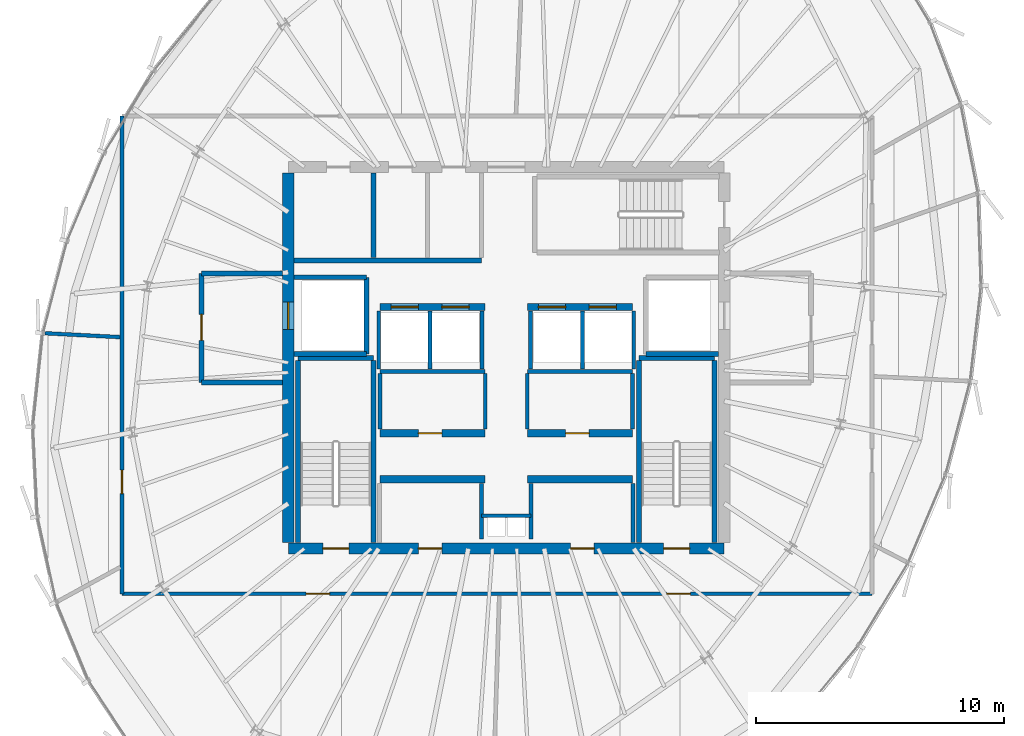
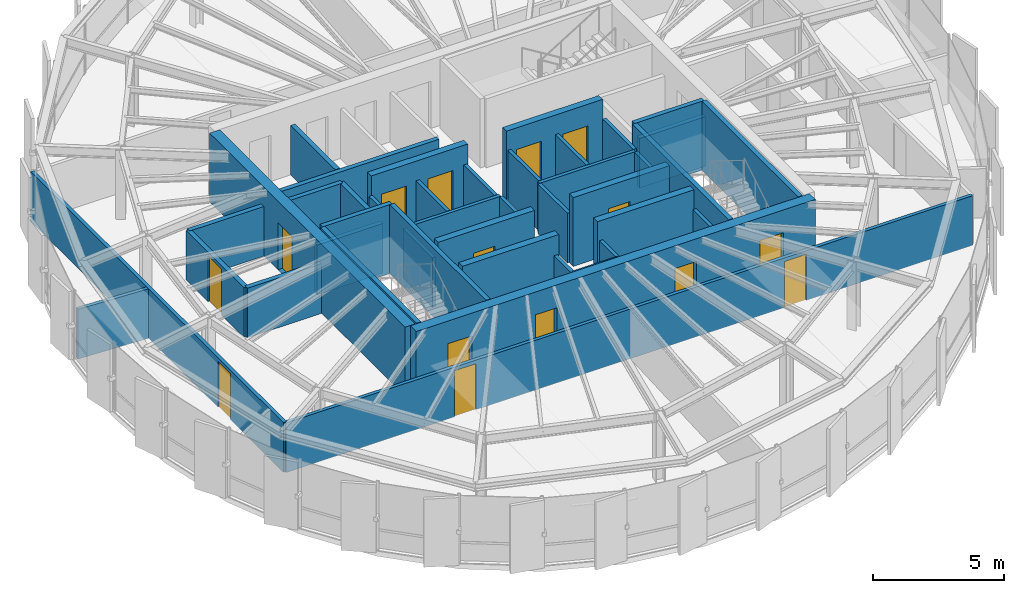
# One storey, part 25 of 31: 42 walls, 15 doors, 15 openings.
"""IFC4 building model written with IfcOpenShell, lengths in metres."""

from ifc_helpers import new_model, si_unit, direction, frame, frame_2d, origin, place, context, subcontext, project, spatial, rectangle, extrude, source, transform, mapped, material, layer, layer_set, type_object, element, fill, save


model = new_model("IFC4")

# Units and contexts
model_context = context("Model", 3, precision=1e-05, world=origin(), true_north=direction((0.0, 1.0)))
body_context = subcontext(model_context, "Body", "Model", "MODEL_VIEW")
ifc_project = project(units=[si_unit("LENGTHUNIT", "METRE"), si_unit("AREAUNIT", "SQUARE_METRE"), si_unit("VOLUMEUNIT", "CUBIC_METRE"), si_unit("PLANEANGLEUNIT", "RADIAN"), si_unit("MASSUNIT", "GRAM", prefix="KILO"), si_unit("THERMODYNAMICTEMPERATUREUNIT", "KELVIN")], contexts=[model_context])

# Site, building, storey
site_placement = place(None, origin())
site = spatial("IfcSite", under=ifc_project, at=site_placement, CompositionType="ELEMENT")
building_placement = place(site_placement, origin())
building = spatial("IfcBuilding", under=site, at=building_placement, Name="Kethvar Cultural Tower", CompositionType="ELEMENT")
storey_placement = place(building_placement, frame((0.0, 0.0, 287.050048828125)))
storey = spatial("IfcBuildingStorey", under=building, at=storey_placement, Name="L76", CompositionType="ELEMENT", Elevation=287.050048828125)

# Wall, openings, doors
ifc_material_1 = material(Name="Concrete C50/60", Category="concrete")
ifc_layer_1 = layer(ifc_material_1, 0.449951171875, Name="Concrete C50/60", Category="concrete")
ifc_layer_set_1 = layer_set([ifc_layer_1], Name="Concrete C50/60 (450 mm)")
wall_type_1 = type_object("IfcWallType", Name="WL-CORE-450", PredefinedType="SHEAR", material=ifc_layer_set_1)
wall_1_placement = place(storey_placement, frame((38.0, 20.10009765625, 0.0), z_axis=(0.0, 0.0, 1.0), x_axis=(1.0, 0.0, 0.0)))
wall_1 = element("IfcWall", 1, at=wall_1_placement, inside=storey, type_object=wall_type_1, Name="L76 Core Shear Wall S", PredefinedType="SHEAR", context=body_context, shape_type="SweptSolid", body=[
    extrude(rectangle(XDim=17.60009765625, YDim=0.449951171875, at=frame_2d((8.800048828125, 0.0))), origin(), (0.0, 0.0, 1.0), 3.2099609375),
])
opening_1_placement = place(wall_1_placement, frame((1.39990234375, 0.0, 0.0)))
opening_1 = element("IfcOpeningElement", 2, at=opening_1_placement, cuts=wall_1, Name="Opening D-L76-S1", PredefinedType="OPENING", context=body_context, shape_type="SweptSolid", body=[
    extrude(rectangle(XDim=1.050048828125, YDim=2.14990234375, at=frame_2d((0.52490234375, 1.074951171875))), frame((0.0, 0.23486328125, 0.0), z_axis=(0.0, -1.0, 0.0), x_axis=(1.0, 0.0, 0.0)), (0.0, 0.0, 1.0), 0.469970703125),
])
opening_2_placement = place(wall_1_placement, frame((15.14990234375, 0.0, 0.0)))
opening_2 = element("IfcOpeningElement", 3, at=opening_2_placement, cuts=wall_1, Name="Opening D-L76-ST2", PredefinedType="OPENING", context=body_context, shape_type="SweptSolid", body=[
    extrude(rectangle(XDim=1.050048828125, YDim=2.14990234375, at=frame_2d((0.52490234375, 1.074951171875))), frame((0.0, 0.23486328125, 0.0), z_axis=(0.0, -1.0, 0.0), x_axis=(1.0, 0.0, 0.0)), (0.0, 0.0, 1.0), 0.469970703125),
])
opening_3_placement = place(wall_1_placement, frame((5.25, 0.0, 0.0)))
opening_3 = element("IfcOpeningElement", 4, at=opening_3_placement, cuts=wall_1, Name="Opening D-L76-V1", PredefinedType="OPENING", context=body_context, shape_type="SweptSolid", body=[
    extrude(rectangle(XDim=0.949951171875, YDim=2.14990234375, at=frame_2d((0.47509765625, 1.074951171875))), frame((0.0, 0.23486328125, 0.0), z_axis=(0.0, -1.0, 0.0), x_axis=(1.0, 0.0, 0.0)), (0.0, 0.0, 1.0), 0.469970703125),
])
opening_4_placement = place(wall_1_placement, frame((11.39990234375, 0.0, 0.0)))
opening_4 = element("IfcOpeningElement", 5, at=opening_4_placement, cuts=wall_1, Name="Opening D-L76-V2", PredefinedType="OPENING", context=body_context, shape_type="SweptSolid", body=[
    extrude(rectangle(XDim=0.949951171875, YDim=2.14990234375, at=frame_2d((0.47509765625, 1.074951171875))), frame((0.0, 0.23486328125, 0.0), z_axis=(0.0, -1.0, 0.0), x_axis=(1.0, 0.0, 0.0)), (0.0, 0.0, 1.0), 0.469970703125),
])
ifc_material_2 = material(Name="Steel S355J2", Category="steel")
door_type_1 = type_object("IfcDoorType", Name="DR-FD60-1050", OperationType="NOTDEFINED", PredefinedType="DOOR", material=ifc_material_2)
shared_shape_1 = source(origin(), body_context, "Body", "SweptSolid", [
    extrude(rectangle(XDim=1.050048828125, YDim=2.14990234375, at=frame_2d((0.52490234375, 1.074951171875))), frame((0.0, 0.02490234375, 0.0), z_axis=(0.0, -1.0, 0.0), x_axis=(1.0, 0.0, 0.0)), (0.0, 0.0, 1.0), 0.050048828125),
])
door_1_placement = place(opening_1_placement, origin())
door_1 = element("IfcDoor", 6, at=door_1_placement, inside=storey, type_object=door_type_1, Name="L76 Exit Stair 1 Door", OperationType="SINGLE_SWING_LEFT", OverallHeight=2.14990234375, OverallWidth=1.050048828125, PredefinedType="DOOR", context=body_context, shape_type="MappedRepresentation", body=[
    mapped(shared_shape_1, transform((0.0, 0.0, 0.0), scale=1.0)),
])
fill(opening_1, door_1)
door_2_placement = place(opening_2_placement, origin())
door_2 = element("IfcDoor", 7, at=door_2_placement, inside=storey, type_object=door_type_1, Name="L76 Exit Stair 2 Door", OperationType="SINGLE_SWING_RIGHT", OverallHeight=2.14990234375, OverallWidth=1.050048828125, PredefinedType="DOOR", context=body_context, shape_type="MappedRepresentation", body=[
    mapped(shared_shape_1, transform((0.0, 0.0, 0.0), scale=1.0)),
])
fill(opening_2, door_2)
ifc_material_3 = material(Name="Architectural Oak Timber", Category="wood")
door_type_2 = type_object("IfcDoorType", Name="DR-FD30-950", OperationType="NOTDEFINED", PredefinedType="DOOR", material=ifc_material_3)
shared_shape_2 = source(origin(), body_context, "Body", "SweptSolid", [
    extrude(rectangle(XDim=0.949951171875, YDim=2.14990234375, at=frame_2d((0.47509765625, 1.074951171875))), frame((0.0, 0.02490234375, 0.0), z_axis=(0.0, -1.0, 0.0), x_axis=(1.0, 0.0, 0.0)), (0.0, 0.0, 1.0), 0.050048828125),
])
door_3_placement = place(opening_3_placement, origin())
door_3 = element("IfcDoor", 8, at=door_3_placement, inside=storey, type_object=door_type_2, Name="L76 Reclaimed West Room Door", OperationType="SINGLE_SWING_LEFT", OverallHeight=2.14990234375, OverallWidth=0.949951171875, PredefinedType="DOOR", context=body_context, shape_type="MappedRepresentation", body=[
    mapped(shared_shape_2, transform((0.0, 0.0, 0.0), scale=1.0)),
])
fill(opening_3, door_3)
door_4_placement = place(opening_4_placement, origin())
door_4 = element("IfcDoor", 9, at=door_4_placement, inside=storey, type_object=door_type_2, Name="L76 Reclaimed East Room Door", OperationType="SINGLE_SWING_RIGHT", OverallHeight=2.14990234375, OverallWidth=0.949951171875, PredefinedType="DOOR", context=body_context, shape_type="MappedRepresentation", body=[
    mapped(shared_shape_2, transform((0.0, 0.0, 0.0), scale=1.0)),
])
fill(opening_4, door_4)

# Wall, opening, door
wall_2_placement = place(storey_placement, frame((38.0, 35.260009765625, 0.0), z_axis=(0.0, 0.0, 1.0), x_axis=(0.0, -1.0, 0.0)))
wall_2 = element("IfcWall", 10, at=wall_2_placement, inside=storey, type_object=wall_type_1, Name="L76 Core Shear Wall W", PredefinedType="SHEAR", context=body_context, shape_type="SweptSolid", body=[
    extrude(rectangle(XDim=14.919921875, YDim=0.449951171875, at=frame_2d((7.4599609375, 0.0))), origin(), (0.0, 0.0, 1.0), 3.2099609375),
])
opening_5_placement = place(wall_2_placement, frame((5.2099609375, 0.0, 0.0)))
opening_5 = element("IfcOpeningElement", 11, at=opening_5_placement, cuts=wall_2, Name="Opening LD-1", PredefinedType="OPENING", context=body_context, shape_type="SweptSolid", body=[
    extrude(rectangle(XDim=1.10009765625, YDim=2.199951171875, at=frame_2d((0.550048828125, 1.10009765625))), frame((0.0, 0.23486328125, 0.0), z_axis=(0.0, -1.0, 0.0), x_axis=(1.0, 0.0, 0.0)), (0.0, 0.0, 1.0), 0.469970703125),
])
door_type_3 = type_object("IfcDoorType", Name="DR-LIFT-SLIDE-1100", OperationType="NOTDEFINED", PredefinedType="DOOR", material=ifc_material_2)
shared_shape_3 = source(origin(), body_context, "Body", "SweptSolid", [
    extrude(rectangle(XDim=1.10009765625, YDim=2.199951171875, at=frame_2d((0.550048828125, 1.10009765625))), frame((0.0, 0.02490234375, 0.0), z_axis=(0.0, -1.0, 0.0), x_axis=(1.0, 0.0, 0.0)), (0.0, 0.0, 1.0), 0.050048828125),
])
door_5_placement = place(opening_5_placement, origin())
door_5 = element("IfcDoor", 12, at=door_5_placement, inside=storey, type_object=door_type_3, Name="L76 Firefighting Lift Landing Door FFL-01", OperationType="SLIDING_TO_LEFT", OverallHeight=2.199951171875, OverallWidth=1.10009765625, PredefinedType="DOOR", context=body_context, shape_type="MappedRepresentation", body=[
    mapped(shared_shape_3, transform((0.0, 0.0, 0.0), scale=1.0)),
])
fill(opening_5, door_5)

# Walls
ifc_material_4 = material(Name="Gypsum Fireboard Partition")
ifc_layer_2 = layer(ifc_material_4, 0.14990234375, Name="Gypsum Fireboard Partition")
ifc_layer_set_2 = layer_set([ifc_layer_2], Name="Gypsum Fireboard Partition (150 mm)")
wall_type_2 = type_object("IfcWallType", Name="WL-FIRE-150", PredefinedType="PARTITIONING", material=ifc_layer_set_2)
wall_3_placement = place(storey_placement, frame((45.800048828125, 21.419921875, 0.0), z_axis=(0.0, 0.0, 1.0), x_axis=(1.0, 0.0, 0.0)))
element("IfcWall", 13, at=wall_3_placement, inside=storey, type_object=wall_type_2, Name="L76 Core Riser Wall", PredefinedType="PARTITIONING", context=body_context, shape_type="SweptSolid", body=[
    extrude(rectangle(XDim=2.0, YDim=0.14990234375, at=frame_2d((1.0, 0.0))), origin(), (0.0, 0.0, 1.0), 2.31494140625),
])
for number, where, z_axis, x_axis, name in (
    (14, (45.800048828125, 20.47998046875, 0.0), (0.0, 0.0, 1.0), (0.0, 1.0, 0.0), "L76 Core Riser West Wall"),
    (15, (47.800048828125, 20.47998046875, 0.0), (0.0, 0.0, 1.0), (0.0, 1.0, 0.0), "L76 Core Riser East Wall"),
):
    element("IfcWall", number, at=place(storey_placement, frame(where, z_axis=z_axis, x_axis=x_axis)), inside=storey, type_object=wall_type_2, Name=name, PredefinedType="PARTITIONING", context=body_context, shape_type="SweptSolid", body=[
        extrude(rectangle(XDim=2.239990234375, YDim=0.14990234375, at=frame_2d((1.1201171875, 0.0))), origin(), (0.0, 0.0, 1.0), 2.31494140625),
    ])
wall_4_placement = place(storey_placement, frame((51.919921875, 20.3349609375, 0.0), z_axis=(0.0, 0.0, 1.0), x_axis=(0.0, 1.0, 0.0)))
element("IfcWall", 16, at=wall_4_placement, inside=storey, type_object=wall_type_2, Name="L76 Reclaimed East Outer Wall", PredefinedType="PARTITIONING", context=body_context, shape_type="SweptSolid", body=[
    extrude(rectangle(XDim=2.39501953125, YDim=0.14990234375, at=frame_2d((1.197509765625, 0.0))), origin(), (0.0, 0.0, 1.0), 2.31494140625),
])
for number, where, z_axis, x_axis, name in (
    (17, (41.699951171875, 27.25, 0.0), (0.0, 0.0, 1.0), (1.0, 0.0, 0.0), "L76 Reclaimed Mid Wall W"),
    (18, (47.64990234375, 27.25, 0.0), (0.0, 0.0, 1.0), (1.0, 0.0, 0.0), "L76 Reclaimed Mid Wall E"),
):
    element("IfcWall", number, at=place(storey_placement, frame(where, z_axis=z_axis, x_axis=x_axis)), inside=storey, type_object=wall_type_2, Name=name, PredefinedType="PARTITIONING", context=body_context, shape_type="SweptSolid", body=[
        extrude(rectangle(XDim=4.25, YDim=0.14990234375, at=frame_2d((2.125, 0.0))), origin(), (0.0, 0.0, 1.0), 2.31494140625),
    ])
for number, where, z_axis, x_axis, name in (
    (19, (41.699951171875, 24.919921875, 0.0), (0.0, 0.0, 1.0), (0.0, 1.0, 0.0), "L76 Reclaimed Mid Outer W"),
    (20, (45.949951171875, 24.919921875, 0.0), (0.0, 0.0, 1.0), (0.0, 1.0, 0.0), "L76 Reclaimed Mid Spine W"),
    (21, (47.64990234375, 24.919921875, 0.0), (0.0, 0.0, 1.0), (0.0, 1.0, 0.0), "L76 Reclaimed Mid Spine E"),
    (22, (51.89990234375, 24.919921875, 0.0), (0.0, 0.0, 1.0), (0.0, 1.0, 0.0), "L76 Reclaimed Mid Outer E"),
):
    element("IfcWall", number, at=place(storey_placement, frame(where, z_axis=z_axis, x_axis=x_axis)), inside=storey, type_object=wall_type_2, Name=name, PredefinedType="PARTITIONING", context=body_context, shape_type="SweptSolid", body=[
        extrude(rectangle(XDim=2.239990234375, YDim=0.14990234375, at=frame_2d((1.1201171875, 0.0))), origin(), (0.0, 0.0, 1.0), 2.31494140625),
    ])
for number, where, z_axis, x_axis, name in (
    (23, (41.64990234375, 27.340087890625, 0.0), (0.0, 0.0, 1.0), (0.0, 1.0, 0.0), "L76 High-Rise Lift Shaft Outer Wall W"),
    (24, (43.72509765625, 27.340087890625, 0.0), (0.0, 0.0, 1.0), (0.0, 1.0, 0.0), "L76 High-Rise Lift Shaft Divider W"),
    (25, (45.824951171875, 27.340087890625, 0.0), (0.0, 0.0, 1.0), (0.0, 1.0, 0.0), "L76 High-Rise Lift Shaft Concourse Wall W"),
    (26, (47.77490234375, 27.340087890625, 0.0), (0.0, 0.0, 1.0), (0.0, 1.0, 0.0), "L76 High-Rise Lift Shaft Concourse Wall E"),
    (27, (49.875, 27.340087890625, 0.0), (0.0, 0.0, 1.0), (0.0, 1.0, 0.0), "L76 High-Rise Lift Shaft Divider E"),
    (28, (51.949951171875, 27.340087890625, 0.0), (0.0, 0.0, 1.0), (0.0, 1.0, 0.0), "L76 High-Rise Lift Shaft Outer Wall E"),
):
    element("IfcWall", number, at=place(storey_placement, frame(where, z_axis=z_axis, x_axis=x_axis)), inside=storey, type_object=wall_type_2, Name=name, PredefinedType="PARTITIONING", context=body_context, shape_type="SweptSolid", body=[
        extrude(rectangle(XDim=2.33984375, YDim=0.14990234375, at=frame_2d((1.169921875, 0.0))), origin(), (0.0, 0.0, 1.0), 2.31494140625),
    ])

# Wall, openings, doors
wall_5_placement = place(storey_placement, frame((31.2900390625, 18.26904296875, 0.0), z_axis=(0.0, 0.0, 1.0), x_axis=(1.0, 0.0, 0.0)))
wall_5 = element("IfcWall", 29, at=wall_5_placement, inside=storey, type_object=wall_type_2, Name="L76 Corridor Rated Wall S", PredefinedType="PARTITIONING", context=body_context, shape_type="SweptSolid", body=[
    extrude(rectangle(XDim=30.27392578125, YDim=0.14990234375, at=frame_2d((15.136962890625, 0.0))), origin(), (0.0, 0.0, 1.0), 2.31494140625),
])
opening_6_placement = place(wall_5_placement, frame((7.430908203125, 0.0, 0.0)))
opening_6 = element("IfcOpeningElement", 30, at=opening_6_placement, cuts=wall_5, Name="Opening D-L76-01", PredefinedType="OPENING", context=body_context, shape_type="SweptSolid", body=[
    extrude(rectangle(XDim=0.949951171875, YDim=2.14990234375, at=frame_2d((0.47509765625, 1.074951171875))), frame((0.0, 0.0849609375, 0.0), z_axis=(0.0, -1.0, 0.0), x_axis=(1.0, 0.0, 0.0)), (0.0, 0.0, 1.0), 0.169921875),
])
opening_7_placement = place(wall_5_placement, frame((21.98779296875, 0.0, 0.0)))
opening_7 = element("IfcOpeningElement", 31, at=opening_7_placement, cuts=wall_5, Name="Opening D-L76-02", PredefinedType="OPENING", context=body_context, shape_type="SweptSolid", body=[
    extrude(rectangle(XDim=0.949951171875, YDim=2.14990234375, at=frame_2d((0.47509765625, 1.074951171875))), frame((0.0, 0.0849609375, 0.0), z_axis=(0.0, -1.0, 0.0), x_axis=(1.0, 0.0, 0.0)), (0.0, 0.0, 1.0), 0.169921875),
])
door_6_placement = place(opening_6_placement, origin())
door_6 = element("IfcDoor", 32, at=door_6_placement, inside=storey, type_object=door_type_2, Name="L76 Museum Design Book Shop 01 Door", OperationType="SINGLE_SWING_LEFT", OverallHeight=2.14990234375, OverallWidth=0.949951171875, PredefinedType="DOOR", context=body_context, shape_type="MappedRepresentation", body=[
    mapped(shared_shape_2, transform((0.0, 0.0, 0.0), scale=1.0)),
])
fill(opening_6, door_6)
door_7_placement = place(opening_7_placement, origin())
door_7 = element("IfcDoor", 33, at=door_7_placement, inside=storey, type_object=door_type_2, Name="L76 Exhibition Print Shop 02 Door", OperationType="SINGLE_SWING_RIGHT", OverallHeight=2.14990234375, OverallWidth=0.949951171875, PredefinedType="DOOR", context=body_context, shape_type="MappedRepresentation", body=[
    mapped(shared_shape_2, transform((0.0, 0.0, 0.0), scale=1.0)),
])
fill(opening_7, door_7)

# Wall, opening, door
wall_6_placement = place(storey_placement, frame((31.2900390625, 37.56201171875, 0.0), z_axis=(0.0, 0.0, 1.0), x_axis=(0.0, -1.0, 0.0)))
wall_6 = element("IfcWall", 34, at=wall_6_placement, inside=storey, type_object=wall_type_2, Name="L76 Corridor Rated Wall W", PredefinedType="PARTITIONING", context=body_context, shape_type="SweptSolid", body=[
    extrude(rectangle(XDim=19.29296875, YDim=0.14990234375, at=frame_2d((9.646484375, 0.0))), origin(), (0.0, 0.0, 1.0), 2.31494140625),
])
opening_8_placement = place(wall_6_placement, frame((14.298095703125, 0.0, 0.0)))
opening_8 = element("IfcOpeningElement", 35, at=opening_8_placement, cuts=wall_6, Name="Opening D-L76-08", PredefinedType="OPENING", context=body_context, shape_type="SweptSolid", body=[
    extrude(rectangle(XDim=0.949951171875, YDim=2.14990234375, at=frame_2d((0.47509765625, 1.074951171875))), frame((0.0, 0.0849609375, 0.0), z_axis=(0.0, -1.0, 0.0), x_axis=(1.0, 0.0, 0.0)), (0.0, 0.0, 1.0), 0.169921875),
])
door_8_placement = place(opening_8_placement, origin())
door_8 = element("IfcDoor", 36, at=door_8_placement, inside=storey, type_object=door_type_2, Name="L76 Institute Tea Pantry 08 Door", OperationType="SINGLE_SWING_RIGHT", OverallHeight=2.14990234375, OverallWidth=0.949951171875, PredefinedType="DOOR", context=body_context, shape_type="MappedRepresentation", body=[
    mapped(shared_shape_2, transform((0.0, 0.0, 0.0), scale=1.0)),
])
fill(opening_8, door_8)

# Walls
ifc_material_5 = material(Name="Concrete C40/50", Category="concrete")
ifc_layer_3 = layer(ifc_material_5, 0.199951171875, Name="Concrete C40/50", Category="concrete")
ifc_layer_set_3 = layer_set([ifc_layer_3], Name="Concrete C40/50 (200 mm)")
wall_type_3 = type_object("IfcWallType", Name="WL-FIRE-200", PredefinedType="PARTITIONING", material=ifc_layer_set_3)
wall_7_placement = place(storey_placement, frame((41.14990234375, 27.949951171875, 0.0), z_axis=(0.0, 0.0, 1.0), x_axis=(0.0, 1.0, 0.0)))
element("IfcWall", 37, at=wall_7_placement, inside=storey, type_object=wall_type_3, Name="L76 FFL-01 Shaft Inner Wall", PredefinedType="PARTITIONING", context=body_context, shape_type="SweptSolid", body=[
    extrude(rectangle(XDim=3.10009765625, YDim=0.199951171875, at=frame_2d((1.550048828125, 0.0))), origin(), (0.0, 0.0, 1.0), 2.31494140625),
])
for number, where, z_axis, x_axis, name in (
    (38, (38.235107421875, 27.949951171875, 0.0), (0.0, 0.0, 1.0), (1.0, 0.0, 0.0), "L76 FFL-01 Shaft South Wall"),
    (39, (38.235107421875, 31.050048828125, 0.0), (0.0, 0.0, 1.0), (1.0, 0.0, 0.0), "L76 FFL-01 Shaft North Wall"),
):
    element("IfcWall", number, at=place(storey_placement, frame(where, z_axis=z_axis, x_axis=x_axis)), inside=storey, type_object=wall_type_3, Name=name, PredefinedType="PARTITIONING", context=body_context, shape_type="SweptSolid", body=[
        extrude(rectangle(XDim=2.914794921875, YDim=0.199951171875, at=frame_2d((1.45751953125, 0.0))), origin(), (0.0, 0.0, 1.0), 2.31494140625),
    ])

# Wall, opening, door
wall_8_placement = place(storey_placement, frame((34.5, 31.199951171875, 0.0), z_axis=(0.0, 0.0, 1.0), x_axis=(0.0, -1.0, 0.0)))
wall_8 = element("IfcWall", 40, at=wall_8_placement, inside=storey, type_object=wall_type_3, Name="L76 Firefighting Lobby 1 Wall", PredefinedType="PARTITIONING", context=body_context, shape_type="SweptSolid", body=[
    extrude(rectangle(XDim=4.39990234375, YDim=0.199951171875, at=frame_2d((2.199951171875, 0.0))), origin(), (0.0, 0.0, 1.0), 2.31494140625),
])
opening_9_placement = place(wall_8_placement, frame((1.64990234375, 0.0, 0.0)))
opening_9 = element("IfcOpeningElement", 41, at=opening_9_placement, cuts=wall_8, Name="Opening D-L76-F1", PredefinedType="OPENING", context=body_context, shape_type="SweptSolid", body=[
    extrude(rectangle(XDim=1.050048828125, YDim=2.14990234375, at=frame_2d((0.52490234375, 1.074951171875))), frame((0.0, 0.10986328125, 0.0), z_axis=(0.0, -1.0, 0.0), x_axis=(1.0, 0.0, 0.0)), (0.0, 0.0, 1.0), 0.219970703125),
])
door_9_placement = place(opening_9_placement, origin())
door_9 = element("IfcDoor", 42, at=door_9_placement, inside=storey, type_object=door_type_1, Name="L76 Firefighting Lobby 1 Fire Door", OperationType="SINGLE_SWING_LEFT", OverallHeight=2.14990234375, OverallWidth=1.050048828125, PredefinedType="DOOR", context=body_context, shape_type="MappedRepresentation", body=[
    mapped(shared_shape_1, transform((0.0, 0.0, 0.0), scale=1.0)),
])
fill(opening_9, door_9)

# Walls
for number, where, z_axis, x_axis, name in (
    (43, (34.5, 26.800048828125, 0.0), (0.0, 0.0, 1.0), (1.0, 0.0, 0.0), "L76 FF Lobby 1 South Wall"),
    (44, (34.5, 31.199951171875, 0.0), (0.0, 0.0, 1.0), (1.0, 0.0, 0.0), "L76 FF Lobby 1 North Wall"),
):
    element("IfcWall", number, at=place(storey_placement, frame(where, z_axis=z_axis, x_axis=x_axis)), inside=storey, type_object=wall_type_3, Name=name, PredefinedType="PARTITIONING", context=body_context, shape_type="SweptSolid", body=[
        extrude(rectangle(XDim=3.264892578125, YDim=0.199951171875, at=frame_2d((1.63232421875, 0.0))), origin(), (0.0, 0.0, 1.0), 2.31494140625),
    ])
wall_9_placement = place(storey_placement, frame((52.449951171875, 27.949951171875, 0.0), z_axis=(0.0, 0.0, 1.0), x_axis=(1.0, 0.0, 0.0)))
element("IfcWall", 45, at=wall_9_placement, inside=storey, type_object=wall_type_3, Name="L76 FFL-02 Shaft South Wall", PredefinedType="PARTITIONING", context=body_context, shape_type="SweptSolid", body=[
    extrude(rectangle(XDim=2.9150390625, YDim=0.199951171875, at=frame_2d((1.45751953125, 0.0))), origin(), (0.0, 0.0, 1.0), 2.31494140625),
])
wall_10_placement = place(storey_placement, frame((41.449951171875, 31.85009765625, 0.0), z_axis=(0.0, 0.0, 1.0), x_axis=(0.0, 1.0, 0.0)))
element("IfcWall", 46, at=wall_10_placement, inside=storey, type_object=wall_type_3, Name="L76 NW Core Pocket Wall", PredefinedType="PARTITIONING", context=body_context, shape_type="SweptSolid", body=[
    extrude(rectangle(XDim=3.414794921875, YDim=0.199951171875, at=frame_2d((1.70751953125, 0.0))), origin(), (0.0, 0.0, 1.0), 2.31494140625),
])
wall_11_placement = place(storey_placement, frame((38.235107421875, 31.72998046875, 0.0), z_axis=(0.0, 0.0, 1.0), x_axis=(1.0, 0.0, 0.0)))
element("IfcWall", 47, at=wall_11_placement, inside=storey, type_object=wall_type_3, Name="L76 North Core Sanitary South Wall", PredefinedType="PARTITIONING", context=body_context, shape_type="SweptSolid", body=[
    extrude(rectangle(XDim=7.56494140625, YDim=0.199951171875, at=frame_2d((3.782470703125, 0.0))), origin(), (0.0, 0.0, 1.0), 2.31494140625),
])
ifc_material_6 = material(Name="Gypsum Acoustic Partition")
ifc_layer_4 = layer(ifc_material_6, 0.14990234375, Name="Gypsum Acoustic Partition")
ifc_layer_set_4 = layer_set([ifc_layer_4], Name="Gypsum Acoustic Partition (150 mm)")
wall_type_4 = type_object("IfcWallType", Name="WL-PART-150", PredefinedType="PARTITIONING", material=ifc_layer_set_4)
wall_12_placement = place(storey_placement, frame((31.210205078125, 28.633056640625, 0.0), z_axis=(0.0, 0.0, 1.0), x_axis=(-0.998658304719, 0.051784074924, 0.0)))
element("IfcWall", 48, at=wall_12_placement, inside=storey, type_object=wall_type_4, Name="L76 Radial Partition Wall 09", PredefinedType="PARTITIONING", context=body_context, shape_type="SweptSolid", body=[
    extrude(rectangle(XDim=3.02685546875, YDim=0.14990234375, at=frame_2d((1.513427734375, 0.0))), origin(), (0.0, 0.0, 1.0), 2.31494140625),
])
ifc_layer_5 = layer(ifc_material_1, 0.300048828125, Name="Concrete C50/60", Category="concrete")
ifc_layer_set_5 = layer_set([ifc_layer_5], Name="Concrete C50/60 (300 mm)")
wall_type_5 = type_object("IfcWallType", Name="WL-SHAFT-300", PredefinedType="SHEAR", material=ifc_layer_set_5)
for number, where, z_axis, x_axis, name in (
    (49, (41.699951171875, 22.89990234375, 0.0), (0.0, 0.0, 1.0), (1.0, 0.0, 0.0), "L76 Core Lift Spine Wall MID1W"),
    (50, (47.64990234375, 22.89990234375, 0.0), (0.0, 0.0, 1.0), (1.0, 0.0, 0.0), "L76 Core Lift Spine Wall MID1E"),
):
    element("IfcWall", number, at=place(storey_placement, frame(where, z_axis=z_axis, x_axis=x_axis)), inside=storey, type_object=wall_type_5, Name=name, PredefinedType="SHEAR", context=body_context, shape_type="SweptSolid", body=[
        extrude(rectangle(XDim=4.25, YDim=0.300048828125, at=frame_2d((2.125, 0.0))), origin(), (0.0, 0.0, 1.0), 3.2099609375),
    ])

# Wall, opening, door
wall_13_placement = place(storey_placement, frame((41.699951171875, 24.75, 0.0), z_axis=(0.0, 0.0, 1.0), x_axis=(1.0, 0.0, 0.0)))
wall_13 = element("IfcWall", 51, at=wall_13_placement, inside=storey, type_object=wall_type_5, Name="L76 Core Lift Spine Wall MID2W", PredefinedType="SHEAR", context=body_context, shape_type="SweptSolid", body=[
    extrude(rectangle(XDim=4.25, YDim=0.300048828125, at=frame_2d((2.125, 0.0))), origin(), (0.0, 0.0, 1.0), 3.2099609375),
])
opening_10_placement = place(wall_13_placement, frame((1.550048828125, 0.0, 0.0)))
opening_10 = element("IfcOpeningElement", 52, at=opening_10_placement, cuts=wall_13, Name="Opening D-L76-M1", PredefinedType="OPENING", context=body_context, shape_type="SweptSolid", body=[
    extrude(rectangle(XDim=0.949951171875, YDim=2.14990234375, at=frame_2d((0.47509765625, 1.074951171875))), frame((0.0, 0.159912109375, 0.0), z_axis=(0.0, -1.0, 0.0), x_axis=(1.0, 0.0, 0.0)), (0.0, 0.0, 1.0), 0.320068359375),
])
door_10_placement = place(opening_10_placement, origin())
door_10 = element("IfcDoor", 53, at=door_10_placement, inside=storey, type_object=door_type_2, Name="L76 Mid West Room Door", OperationType="SINGLE_SWING_LEFT", OverallHeight=2.14990234375, OverallWidth=0.949951171875, PredefinedType="DOOR", context=body_context, shape_type="MappedRepresentation", body=[
    mapped(shared_shape_2, transform((0.0, 0.0, 0.0), scale=1.0)),
])
fill(opening_10, door_10)

wall_14_placement = place(storey_placement, frame((47.64990234375, 24.75, 0.0), z_axis=(0.0, 0.0, 1.0), x_axis=(1.0, 0.0, 0.0)))
wall_14 = element("IfcWall", 54, at=wall_14_placement, inside=storey, type_object=wall_type_5, Name="L76 Core Lift Spine Wall MID2E", PredefinedType="SHEAR", context=body_context, shape_type="SweptSolid", body=[
    extrude(rectangle(XDim=4.25, YDim=0.300048828125, at=frame_2d((2.125, 0.0))), origin(), (0.0, 0.0, 1.0), 3.2099609375),
])
opening_11_placement = place(wall_14_placement, frame((1.550048828125, 0.0, 0.0)))
opening_11 = element("IfcOpeningElement", 55, at=opening_11_placement, cuts=wall_14, Name="Opening D-L76-M2", PredefinedType="OPENING", context=body_context, shape_type="SweptSolid", body=[
    extrude(rectangle(XDim=0.949951171875, YDim=2.14990234375, at=frame_2d((0.47509765625, 1.074951171875))), frame((0.0, 0.159912109375, 0.0), z_axis=(0.0, -1.0, 0.0), x_axis=(1.0, 0.0, 0.0)), (0.0, 0.0, 1.0), 0.320068359375),
])
door_11_placement = place(opening_11_placement, origin())
door_11 = element("IfcDoor", 56, at=door_11_placement, inside=storey, type_object=door_type_2, Name="L76 Mid East Room Door", OperationType="SINGLE_SWING_RIGHT", OverallHeight=2.14990234375, OverallWidth=0.949951171875, PredefinedType="DOOR", context=body_context, shape_type="MappedRepresentation", body=[
    mapped(shared_shape_2, transform((0.0, 0.0, 0.0), scale=1.0)),
])
fill(opening_11, door_11)

# Wall, openings, doors
wall_15_placement = place(storey_placement, frame((41.699951171875, 29.85009765625, 0.0), z_axis=(0.0, 0.0, 1.0), x_axis=(1.0, 0.0, 0.0)))
wall_15 = element("IfcWall", 57, at=wall_15_placement, inside=storey, type_object=wall_type_5, Name="L76 Core Lift Spine Wall MID3W", PredefinedType="SHEAR", context=body_context, shape_type="SweptSolid", body=[
    extrude(rectangle(XDim=4.25, YDim=0.300048828125, at=frame_2d((2.125, 0.0))), origin(), (0.0, 0.0, 1.0), 3.2099609375),
])
opening_12_placement = place(wall_15_placement, frame((0.449951171875, 0.0, 0.0)))
opening_12 = element("IfcOpeningElement", 58, at=opening_12_placement, cuts=wall_15, Name="Opening LD-H1", PredefinedType="OPENING", context=body_context, shape_type="SweptSolid", body=[
    extrude(rectangle(XDim=1.10009765625, YDim=2.199951171875, at=frame_2d((0.550048828125, 1.10009765625))), frame((0.0, 0.159912109375, 0.0), z_axis=(0.0, -1.0, 0.0), x_axis=(1.0, 0.0, 0.0)), (0.0, 0.0, 1.0), 0.320068359375),
])
opening_13_placement = place(wall_15_placement, frame((2.5, 0.0, 0.0)))
opening_13 = element("IfcOpeningElement", 59, at=opening_13_placement, cuts=wall_15, Name="Opening LD-H2", PredefinedType="OPENING", context=body_context, shape_type="SweptSolid", body=[
    extrude(rectangle(XDim=1.10009765625, YDim=2.199951171875, at=frame_2d((0.550048828125, 1.10009765625))), frame((0.0, 0.159912109375, 0.0), z_axis=(0.0, -1.0, 0.0), x_axis=(1.0, 0.0, 0.0)), (0.0, 0.0, 1.0), 0.320068359375),
])
door_12_placement = place(opening_12_placement, origin())
door_12 = element("IfcDoor", 60, at=door_12_placement, inside=storey, type_object=door_type_3, Name="L76 High-Rise Lift Landing Door H1", OperationType="SLIDING_TO_LEFT", OverallHeight=2.199951171875, OverallWidth=1.10009765625, PredefinedType="DOOR", context=body_context, shape_type="MappedRepresentation", body=[
    mapped(shared_shape_3, transform((0.0, 0.0, 0.0), scale=1.0)),
])
fill(opening_12, door_12)
door_13_placement = place(opening_13_placement, origin())
door_13 = element("IfcDoor", 61, at=door_13_placement, inside=storey, type_object=door_type_3, Name="L76 High-Rise Lift Landing Door H2", OperationType="SLIDING_TO_LEFT", OverallHeight=2.199951171875, OverallWidth=1.10009765625, PredefinedType="DOOR", context=body_context, shape_type="MappedRepresentation", body=[
    mapped(shared_shape_3, transform((0.0, 0.0, 0.0), scale=1.0)),
])
fill(opening_13, door_13)

wall_16_placement = place(storey_placement, frame((47.64990234375, 29.85009765625, 0.0), z_axis=(0.0, 0.0, 1.0), x_axis=(1.0, 0.0, 0.0)))
wall_16 = element("IfcWall", 62, at=wall_16_placement, inside=storey, type_object=wall_type_5, Name="L76 Core Lift Spine Wall MID3E", PredefinedType="SHEAR", context=body_context, shape_type="SweptSolid", body=[
    extrude(rectangle(XDim=4.25, YDim=0.300048828125, at=frame_2d((2.125, 0.0))), origin(), (0.0, 0.0, 1.0), 3.2099609375),
])
opening_14_placement = place(wall_16_placement, frame((0.449951171875, 0.0, 0.0)))
opening_14 = element("IfcOpeningElement", 63, at=opening_14_placement, cuts=wall_16, Name="Opening LD-H3", PredefinedType="OPENING", context=body_context, shape_type="SweptSolid", body=[
    extrude(rectangle(XDim=1.10009765625, YDim=2.199951171875, at=frame_2d((0.550048828125, 1.10009765625))), frame((0.0, 0.159912109375, 0.0), z_axis=(0.0, -1.0, 0.0), x_axis=(1.0, 0.0, 0.0)), (0.0, 0.0, 1.0), 0.320068359375),
])
opening_15_placement = place(wall_16_placement, frame((2.5, 0.0, 0.0)))
opening_15 = element("IfcOpeningElement", 64, at=opening_15_placement, cuts=wall_16, Name="Opening LD-H4", PredefinedType="OPENING", context=body_context, shape_type="SweptSolid", body=[
    extrude(rectangle(XDim=1.10009765625, YDim=2.199951171875, at=frame_2d((0.550048828125, 1.10009765625))), frame((0.0, 0.159912109375, 0.0), z_axis=(0.0, -1.0, 0.0), x_axis=(1.0, 0.0, 0.0)), (0.0, 0.0, 1.0), 0.320068359375),
])
door_14_placement = place(opening_14_placement, origin())
door_14 = element("IfcDoor", 65, at=door_14_placement, inside=storey, type_object=door_type_3, Name="L76 High-Rise Lift Landing Door H3", OperationType="SLIDING_TO_LEFT", OverallHeight=2.199951171875, OverallWidth=1.10009765625, PredefinedType="DOOR", context=body_context, shape_type="MappedRepresentation", body=[
    mapped(shared_shape_3, transform((0.0, 0.0, 0.0), scale=1.0)),
])
fill(opening_14, door_14)
door_15_placement = place(opening_15_placement, origin())
door_15 = element("IfcDoor", 66, at=door_15_placement, inside=storey, type_object=door_type_3, Name="L76 High-Rise Lift Landing Door H4", OperationType="SLIDING_TO_LEFT", OverallHeight=2.199951171875, OverallWidth=1.10009765625, PredefinedType="DOOR", context=body_context, shape_type="MappedRepresentation", body=[
    mapped(shared_shape_3, transform((0.0, 0.0, 0.0), scale=1.0)),
])
fill(opening_15, door_15)

# Walls
ifc_layer_6 = layer(ifc_material_1, 0.199951171875, Name="Concrete C50/60", Category="concrete")
ifc_layer_set_6 = layer_set([ifc_layer_6], Name="Concrete C50/60 (200 mm)")
wall_type_6 = type_object("IfcWallType", Name="WL-STSHAFT-200", PredefinedType="SHEAR", material=ifc_layer_set_6)
wall_17_placement = place(storey_placement, frame((38.389892578125, 27.800048828125, 0.0), z_axis=(0.0, 0.0, 1.0), x_axis=(1.0, 0.0, 0.0)))
element("IfcWall", 67, at=wall_17_placement, inside=storey, type_object=wall_type_6, Name="L76 ST-01 Stair Shaft Wall FAR", PredefinedType="SHEAR", context=body_context, shape_type="SweptSolid", body=[
    extrude(rectangle(XDim=3.06005859375, YDim=0.199951171875, at=frame_2d((1.530029296875, 0.0))), origin(), (0.0, 0.0, 1.0), 3.2099609375),
])
for number, where, z_axis, x_axis, name in (
    (68, (41.449951171875, 27.699951171875, 0.0), (0.0, 0.0, 1.0), (0.0, -1.0, 0.0), "L76 ST-01 Stair Shaft Wall LEFT"),
    (69, (38.389892578125, 20.35009765625, 0.0), (0.0, 0.0, 1.0), (0.0, 1.0, 0.0), "L76 ST-01 Stair Shaft Wall RIGHT"),
):
    element("IfcWall", number, at=place(storey_placement, frame(where, z_axis=z_axis, x_axis=x_axis)), inside=storey, type_object=wall_type_6, Name=name, PredefinedType="SHEAR", context=body_context, shape_type="SweptSolid", body=[
        extrude(rectangle(XDim=7.349853515625, YDim=0.199951171875, at=frame_2d((3.6748046875, 0.0))), origin(), (0.0, 0.0, 1.0), 3.2099609375),
    ])
wall_18_placement = place(storey_placement, frame((52.14990234375, 27.800048828125, 0.0), z_axis=(0.0, 0.0, 1.0), x_axis=(1.0, 0.0, 0.0)))
element("IfcWall", 70, at=wall_18_placement, inside=storey, type_object=wall_type_6, Name="L76 ST-02 Stair Shaft Wall FAR", PredefinedType="SHEAR", context=body_context, shape_type="SweptSolid", body=[
    extrude(rectangle(XDim=3.06005859375, YDim=0.199951171875, at=frame_2d((1.530029296875, 0.0))), origin(), (0.0, 0.0, 1.0), 3.2099609375),
])
for number, where, z_axis, x_axis, name in (
    (71, (55.2099609375, 27.699951171875, 0.0), (0.0, 0.0, 1.0), (0.0, -1.0, 0.0), "L76 ST-02 Stair Shaft Wall LEFT"),
    (72, (52.14990234375, 20.35009765625, 0.0), (0.0, 0.0, 1.0), (0.0, 1.0, 0.0), "L76 ST-02 Stair Shaft Wall RIGHT"),
):
    element("IfcWall", number, at=place(storey_placement, frame(where, z_axis=z_axis, x_axis=x_axis)), inside=storey, type_object=wall_type_6, Name=name, PredefinedType="SHEAR", context=body_context, shape_type="SweptSolid", body=[
        extrude(rectangle(XDim=7.349853515625, YDim=0.199951171875, at=frame_2d((3.6748046875, 0.0))), origin(), (0.0, 0.0, 1.0), 3.2099609375),
    ])

save(model, "model.ifc")
